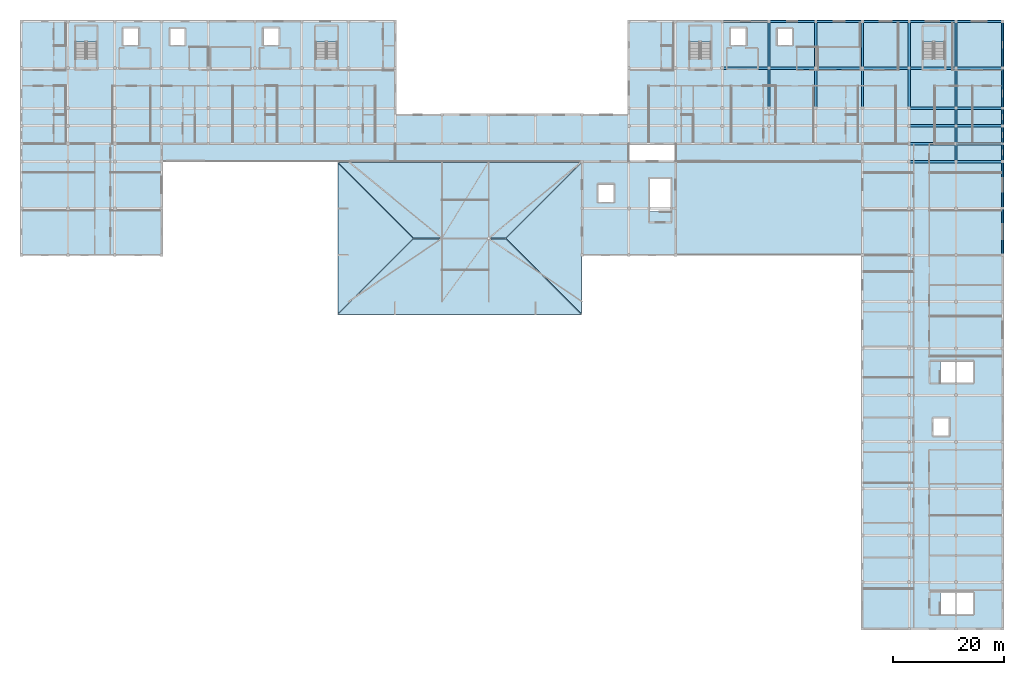
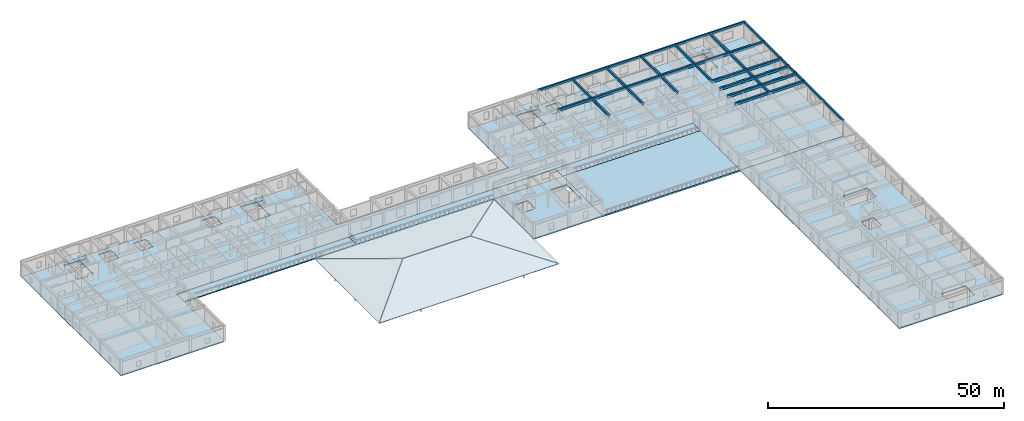
# One storey, part 6 of 28: 40 beams, 15 slabs, 4 elements without a shape of their own.
"""IFC4 building model written with IfcOpenShell, lengths in metres."""

from ifc_helpers import new_model, si_unit, direction, frame, origin, origin_2d, place, context, subcontext, project, spatial, polyline, rectangle, outline, extrude, material, layer, layer_set, material_profile, profile_set, type_object, element, aggregate, save


model = new_model("IFC4")

# Units and contexts
model_context = context("Model", 3, precision=1e-05, world=origin(), true_north=direction((0.0, 1.0)))
body_context = subcontext(model_context, "Body", "Model", "MODEL_VIEW")
ifc_project = project(units=[si_unit("LENGTHUNIT", "METRE"), si_unit("AREAUNIT", "SQUARE_METRE"), si_unit("VOLUMEUNIT", "CUBIC_METRE"), si_unit("PLANEANGLEUNIT", "RADIAN"), si_unit("MASSUNIT", "GRAM", prefix="KILO")], contexts=[model_context])

# Site, building, storey
site_placement = place(None, origin())
site = spatial("IfcSite", under=ifc_project, at=site_placement, CompositionType="ELEMENT")
building_placement = place(site_placement, origin())
building = spatial("IfcBuilding", under=site, at=building_placement, Name="Varncliffe General Hospital", CompositionType="ELEMENT")
storey_placement = place(building_placement, frame((0.0, 0.0, 24.60009765625)))
storey = spatial("IfcBuildingStorey", under=building, at=storey_placement, Name="L05", CompositionType="ELEMENT", Elevation=24.60009765625)

# Beams
ifc_material = material(Name="Concrete C35/45 (CSA A23.1 35 MPa)", Category="concrete")
ifc_material_profile_1 = material_profile(ifc_material, rectangle(XDim=0.39990234375, YDim=0.550048828125, at=origin_2d()), Name="RC 400x550")
ifc_profile_set_1 = profile_set([ifc_material_profile_1], Name="Concrete C35/45 (CSA A23.1 35 MPa)")
beam_type_1 = type_object("IfcBeamType", Name="Beam B32 (Int RC 400x550)", PredefinedType="BEAM", material=ifc_profile_set_1)
beam_1_placement = place(storey_placement, frame((134.39990234375, 109.199951171875, 3.9248046875), z_axis=(0.0, 1.0, 0.0), x_axis=(-1.0, 0.0, 0.0)))
element("IfcBeam", 1, at=beam_1_placement, inside=storey, type_object=beam_type_1, Name="L05 Primary Beam B32-209", PredefinedType="BEAM", context=body_context, shape_type="SweptSolid", body=[
    extrude(rectangle(XDim=0.39990234375, YDim=0.550048828125, at=origin_2d()), origin(), (0.0, 0.0, 1.0), 7.199951171875),
])
beam_2_placement = place(storey_placement, frame((134.39990234375, 116.39990234375, 3.9248046875), z_axis=(0.0, 1.0, 0.0), x_axis=(-1.0, 0.0, 0.0)))
element("IfcBeam", 2, at=beam_2_placement, inside=storey, type_object=beam_type_1, Name="L05 Primary Beam B32-210", PredefinedType="BEAM", context=body_context, shape_type="SweptSolid", body=[
    extrude(rectangle(XDim=0.39990234375, YDim=0.550048828125, at=origin_2d()), origin(), (0.0, 0.0, 1.0), 8.400146484375),
])
beam_3_placement = place(storey_placement, frame((142.800048828125, 109.199951171875, 3.9248046875), z_axis=(0.0, 1.0, 0.0), x_axis=(-1.0, 0.0, 0.0)))
element("IfcBeam", 3, at=beam_3_placement, inside=storey, type_object=beam_type_1, Name="L05 Primary Beam B32-213", PredefinedType="BEAM", context=body_context, shape_type="SweptSolid", body=[
    extrude(rectangle(XDim=0.39990234375, YDim=0.550048828125, at=origin_2d()), origin(), (0.0, 0.0, 1.0), 7.199951171875),
])
beam_4_placement = place(storey_placement, frame((142.800048828125, 116.39990234375, 3.9248046875), z_axis=(0.0, 1.0, 0.0), x_axis=(-1.0, 0.0, 0.0)))
element("IfcBeam", 4, at=beam_4_placement, inside=storey, type_object=beam_type_1, Name="L05 Primary Beam B32-214", PredefinedType="BEAM", context=body_context, shape_type="SweptSolid", body=[
    extrude(rectangle(XDim=0.39990234375, YDim=0.550048828125, at=origin_2d()), origin(), (0.0, 0.0, 1.0), 8.400146484375),
])
beam_5_placement = place(storey_placement, frame((151.199951171875, 109.199951171875, 3.9248046875), z_axis=(0.0, 1.0, 0.0), x_axis=(-1.0, 0.0, 0.0)))
element("IfcBeam", 5, at=beam_5_placement, inside=storey, type_object=beam_type_1, Name="L05 Primary Beam B32-228", PredefinedType="BEAM", context=body_context, shape_type="SweptSolid", body=[
    extrude(rectangle(XDim=0.39990234375, YDim=0.550048828125, at=origin_2d()), origin(), (0.0, 0.0, 1.0), 7.199951171875),
])
beam_6_placement = place(storey_placement, frame((151.199951171875, 116.39990234375, 3.9248046875), z_axis=(0.0, 1.0, 0.0), x_axis=(-1.0, 0.0, 0.0)))
element("IfcBeam", 6, at=beam_6_placement, inside=storey, type_object=beam_type_1, Name="L05 Primary Beam B32-229", PredefinedType="BEAM", context=body_context, shape_type="SweptSolid", body=[
    extrude(rectangle(XDim=0.39990234375, YDim=0.550048828125, at=origin_2d()), origin(), (0.0, 0.0, 1.0), 8.400146484375),
])
beam_7_placement = place(storey_placement, frame((159.60009765625, 109.199951171875, 3.9248046875), z_axis=(0.0, 1.0, 0.0), x_axis=(-1.0, 0.0, 0.0)))
element("IfcBeam", 7, at=beam_7_placement, inside=storey, type_object=beam_type_1, Name="L05 Primary Beam B32-243", PredefinedType="BEAM", context=body_context, shape_type="SweptSolid", body=[
    extrude(rectangle(XDim=0.39990234375, YDim=0.550048828125, at=origin_2d()), origin(), (0.0, 0.0, 1.0), 7.199951171875),
])
beam_8_placement = place(storey_placement, frame((159.60009765625, 116.39990234375, 3.9248046875), z_axis=(0.0, 1.0, 0.0), x_axis=(-1.0, 0.0, 0.0)))
element("IfcBeam", 8, at=beam_8_placement, inside=storey, type_object=beam_type_1, Name="L05 Primary Beam B32-244", PredefinedType="BEAM", context=body_context, shape_type="SweptSolid", body=[
    extrude(rectangle(XDim=0.39990234375, YDim=0.550048828125, at=origin_2d()), origin(), (0.0, 0.0, 1.0), 8.400146484375),
])
for number, where, z_axis, x_axis, name in (
    (9, (168.0, 99.60009765625, 3.9248046875), (0.0, 1.0, 0.0), (-1.0, 0.0, 0.0), "L05 Primary Beam B32-255"),
    (10, (168.0, 102.800048828125, 3.9248046875), (0.0, 1.0, 0.0), (-1.0, 0.0, 0.0), "L05 Primary Beam B32-256"),
    (11, (168.0, 106.0, 3.9248046875), (0.0, 1.0, 0.0), (-1.0, 0.0, 0.0), "L05 Primary Beam B32-257"),
):
    element("IfcBeam", number, at=place(storey_placement, frame(where, z_axis=z_axis, x_axis=x_axis)), inside=storey, type_object=beam_type_1, Name=name, PredefinedType="BEAM", context=body_context, shape_type="SweptSolid", body=[
        extrude(rectangle(XDim=0.39990234375, YDim=0.550048828125, at=origin_2d()), origin(), (0.0, 0.0, 1.0), 3.199951171875),
    ])
beam_9_placement = place(storey_placement, frame((168.0, 109.199951171875, 3.9248046875), z_axis=(0.0, 1.0, 0.0), x_axis=(-1.0, 0.0, 0.0)))
element("IfcBeam", 12, at=beam_9_placement, inside=storey, type_object=beam_type_1, Name="L05 Primary Beam B32-258", PredefinedType="BEAM", context=body_context, shape_type="SweptSolid", body=[
    extrude(rectangle(XDim=0.39990234375, YDim=0.550048828125, at=origin_2d()), origin(), (0.0, 0.0, 1.0), 7.199951171875),
])
beam_10_placement = place(storey_placement, frame((168.0, 116.39990234375, 3.9248046875), z_axis=(0.0, 1.0, 0.0), x_axis=(-1.0, 0.0, 0.0)))
element("IfcBeam", 13, at=beam_10_placement, inside=storey, type_object=beam_type_1, Name="L05 Primary Beam B32-259", PredefinedType="BEAM", context=body_context, shape_type="SweptSolid", body=[
    extrude(rectangle(XDim=0.39990234375, YDim=0.550048828125, at=origin_2d()), origin(), (0.0, 0.0, 1.0), 8.400146484375),
])
ifc_material_profile_2 = material_profile(ifc_material, rectangle(XDim=0.449951171875, YDim=0.60009765625, at=origin_2d()), Name="RC 450x600")
ifc_profile_set_2 = profile_set([ifc_material_profile_2], Name="Concrete C35/45 (CSA A23.1 35 MPa)")
beam_type_2 = type_object("IfcBeamType", Name="Beam B47 (Int RC 450x600)", PredefinedType="BEAM", material=ifc_profile_set_2)
for number, where, z_axis, x_axis, name in (
    (14, (159.60009765625, 99.60009765625, 3.89990234375), (1.0, 0.0, 0.0), (0.0, 1.0, 0.0), "L05 Primary Beam B47-47"),
    (15, (168.0, 99.60009765625, 3.89990234375), (1.0, 0.0, 0.0), (0.0, 1.0, 0.0), "L05 Primary Beam B47-48"),
    (16, (159.60009765625, 102.800048828125, 3.89990234375), (1.0, 0.0, 0.0), (0.0, 1.0, 0.0), "L05 Primary Beam B47-68"),
    (17, (168.0, 102.800048828125, 3.89990234375), (1.0, 0.0, 0.0), (0.0, 1.0, 0.0), "L05 Primary Beam B47-69"),
    (18, (159.60009765625, 106.0, 3.89990234375), (1.0, 0.0, 0.0), (0.0, 1.0, 0.0), "L05 Primary Beam B47-84"),
    (19, (168.0, 106.0, 3.89990234375), (1.0, 0.0, 0.0), (0.0, 1.0, 0.0), "L05 Primary Beam B47-85"),
    (20, (159.60009765625, 109.199951171875, 3.89990234375), (1.0, 0.0, 0.0), (0.0, 1.0, 0.0), "L05 Primary Beam B47-103"),
    (21, (168.0, 109.199951171875, 3.89990234375), (1.0, 0.0, 0.0), (0.0, 1.0, 0.0), "L05 Primary Beam B47-104"),
    (22, (126.0, 116.39990234375, 3.89990234375), (1.0, 0.0, 0.0), (0.0, 1.0, 0.0), "L05 Primary Beam B47-115"),
):
    element("IfcBeam", number, at=place(storey_placement, frame(where, z_axis=z_axis, x_axis=x_axis)), inside=storey, type_object=beam_type_2, Name=name, PredefinedType="BEAM", context=body_context, shape_type="SweptSolid", body=[
        extrude(rectangle(XDim=0.449951171875, YDim=0.60009765625, at=origin_2d()), origin(), (0.0, 0.0, 1.0), 8.39990234375),
    ])
beam_11_placement = place(storey_placement, frame((134.39990234375, 116.39990234375, 3.89990234375), z_axis=(1.0, 0.0, 0.0), x_axis=(0.0, 1.0, 0.0)))
element("IfcBeam", 23, at=beam_11_placement, inside=storey, type_object=beam_type_2, Name="L05 Primary Beam B47-116", PredefinedType="BEAM", context=body_context, shape_type="SweptSolid", body=[
    extrude(rectangle(XDim=0.449951171875, YDim=0.60009765625, at=origin_2d()), origin(), (0.0, 0.0, 1.0), 8.400146484375),
])
beam_12_placement = place(storey_placement, frame((142.800048828125, 116.39990234375, 3.89990234375), z_axis=(1.0, 0.0, 0.0), x_axis=(0.0, 1.0, 0.0)))
element("IfcBeam", 24, at=beam_12_placement, inside=storey, type_object=beam_type_2, Name="L05 Primary Beam B47-117", PredefinedType="BEAM", context=body_context, shape_type="SweptSolid", body=[
    extrude(rectangle(XDim=0.449951171875, YDim=0.60009765625, at=origin_2d()), origin(), (0.0, 0.0, 1.0), 8.39990234375),
])
beam_13_placement = place(storey_placement, frame((151.199951171875, 116.39990234375, 3.89990234375), z_axis=(1.0, 0.0, 0.0), x_axis=(0.0, 1.0, 0.0)))
element("IfcBeam", 25, at=beam_13_placement, inside=storey, type_object=beam_type_2, Name="L05 Primary Beam B47-118", PredefinedType="BEAM", context=body_context, shape_type="SweptSolid", body=[
    extrude(rectangle(XDim=0.449951171875, YDim=0.60009765625, at=origin_2d()), origin(), (0.0, 0.0, 1.0), 8.400146484375),
])
for number, where, z_axis, x_axis, name in (
    (26, (159.60009765625, 116.39990234375, 3.89990234375), (1.0, 0.0, 0.0), (0.0, 1.0, 0.0), "L05 Primary Beam B47-119"),
    (27, (168.0, 116.39990234375, 3.89990234375), (1.0, 0.0, 0.0), (0.0, 1.0, 0.0), "L05 Primary Beam B47-120"),
):
    element("IfcBeam", number, at=place(storey_placement, frame(where, z_axis=z_axis, x_axis=x_axis)), inside=storey, type_object=beam_type_2, Name=name, PredefinedType="BEAM", context=body_context, shape_type="SweptSolid", body=[
        extrude(rectangle(XDim=0.449951171875, YDim=0.60009765625, at=origin_2d()), origin(), (0.0, 0.0, 1.0), 8.39990234375),
    ])
ifc_material_profile_3 = material_profile(ifc_material, rectangle(XDim=0.35009765625, YDim=0.550048828125, at=origin_2d()), Name="RC 350x550")
ifc_profile_set_3 = profile_set([ifc_material_profile_3], Name="Concrete C35/45 (CSA A23.1 35 MPa)")
beam_type_3 = type_object("IfcBeamType", Name="Spandrel SP20 (Ext RC 350x550)", PredefinedType="SPANDREL", material=ifc_profile_set_3)
beam_14_placement = place(storey_placement, frame((126.0, 124.800048828125, 3.9248046875), z_axis=(1.0, 0.0, 0.0), x_axis=(0.0, 1.0, 0.0)))
element("IfcBeam", 28, at=beam_14_placement, inside=storey, type_object=beam_type_3, Name="L05 Spandrel Beam SP20-131", PredefinedType="SPANDREL", context=body_context, shape_type="SweptSolid", body=[
    extrude(rectangle(XDim=0.35009765625, YDim=0.550048828125, at=origin_2d()), origin(), (0.0, 0.0, 1.0), 8.39990234375),
])
beam_15_placement = place(storey_placement, frame((134.39990234375, 124.800048828125, 3.9248046875), z_axis=(1.0, 0.0, 0.0), x_axis=(0.0, 1.0, 0.0)))
element("IfcBeam", 29, at=beam_15_placement, inside=storey, type_object=beam_type_3, Name="L05 Spandrel Beam SP20-132", PredefinedType="SPANDREL", context=body_context, shape_type="SweptSolid", body=[
    extrude(rectangle(XDim=0.35009765625, YDim=0.550048828125, at=origin_2d()), origin(), (0.0, 0.0, 1.0), 8.400146484375),
])
beam_16_placement = place(storey_placement, frame((142.800048828125, 124.800048828125, 3.9248046875), z_axis=(1.0, 0.0, 0.0), x_axis=(0.0, 1.0, 0.0)))
element("IfcBeam", 30, at=beam_16_placement, inside=storey, type_object=beam_type_3, Name="L05 Spandrel Beam SP20-133", PredefinedType="SPANDREL", context=body_context, shape_type="SweptSolid", body=[
    extrude(rectangle(XDim=0.35009765625, YDim=0.550048828125, at=origin_2d()), origin(), (0.0, 0.0, 1.0), 8.39990234375),
])
beam_17_placement = place(storey_placement, frame((151.199951171875, 124.800048828125, 3.9248046875), z_axis=(1.0, 0.0, 0.0), x_axis=(0.0, 1.0, 0.0)))
element("IfcBeam", 31, at=beam_17_placement, inside=storey, type_object=beam_type_3, Name="L05 Spandrel Beam SP20-134", PredefinedType="SPANDREL", context=body_context, shape_type="SweptSolid", body=[
    extrude(rectangle(XDim=0.35009765625, YDim=0.550048828125, at=origin_2d()), origin(), (0.0, 0.0, 1.0), 8.400146484375),
])
for number, where, z_axis, x_axis, name in (
    (32, (159.60009765625, 124.800048828125, 3.9248046875), (1.0, 0.0, 0.0), (0.0, 1.0, 0.0), "L05 Spandrel Beam SP20-135"),
    (33, (168.0, 124.800048828125, 3.9248046875), (1.0, 0.0, 0.0), (0.0, 1.0, 0.0), "L05 Spandrel Beam SP20-136"),
    (34, (176.39990234375, 82.800048828125, 3.9248046875), (0.0, 1.0, 0.0), (-1.0, 0.0, 0.0), "L05 Spandrel Beam SP20-268"),
):
    element("IfcBeam", number, at=place(storey_placement, frame(where, z_axis=z_axis, x_axis=x_axis)), inside=storey, type_object=beam_type_3, Name=name, PredefinedType="SPANDREL", context=body_context, shape_type="SweptSolid", body=[
        extrude(rectangle(XDim=0.35009765625, YDim=0.550048828125, at=origin_2d()), origin(), (0.0, 0.0, 1.0), 8.39990234375),
    ])
beam_18_placement = place(storey_placement, frame((176.39990234375, 91.199951171875, 3.9248046875), z_axis=(0.0, 1.0, 0.0), x_axis=(-1.0, 0.0, 0.0)))
element("IfcBeam", 35, at=beam_18_placement, inside=storey, type_object=beam_type_3, Name="L05 Spandrel Beam SP20-269", PredefinedType="SPANDREL", context=body_context, shape_type="SweptSolid", body=[
    extrude(rectangle(XDim=0.35009765625, YDim=0.550048828125, at=origin_2d()), origin(), (0.0, 0.0, 1.0), 8.400146484375),
])
for number, where, z_axis, x_axis, name in (
    (36, (176.39990234375, 99.60009765625, 3.9248046875), (0.0, 1.0, 0.0), (-1.0, 0.0, 0.0), "L05 Spandrel Beam SP20-270"),
    (37, (176.39990234375, 102.800048828125, 3.9248046875), (0.0, 1.0, 0.0), (-1.0, 0.0, 0.0), "L05 Spandrel Beam SP20-271"),
    (38, (176.39990234375, 106.0, 3.9248046875), (0.0, 1.0, 0.0), (-1.0, 0.0, 0.0), "L05 Spandrel Beam SP20-272"),
):
    element("IfcBeam", number, at=place(storey_placement, frame(where, z_axis=z_axis, x_axis=x_axis)), inside=storey, type_object=beam_type_3, Name=name, PredefinedType="SPANDREL", context=body_context, shape_type="SweptSolid", body=[
        extrude(rectangle(XDim=0.35009765625, YDim=0.550048828125, at=origin_2d()), origin(), (0.0, 0.0, 1.0), 3.199951171875),
    ])
beam_19_placement = place(storey_placement, frame((176.39990234375, 109.199951171875, 3.9248046875), z_axis=(0.0, 1.0, 0.0), x_axis=(-1.0, 0.0, 0.0)))
element("IfcBeam", 39, at=beam_19_placement, inside=storey, type_object=beam_type_3, Name="L05 Spandrel Beam SP20-273", PredefinedType="SPANDREL", context=body_context, shape_type="SweptSolid", body=[
    extrude(rectangle(XDim=0.35009765625, YDim=0.550048828125, at=origin_2d()), origin(), (0.0, 0.0, 1.0), 7.199951171875),
])
beam_20_placement = place(storey_placement, frame((176.39990234375, 116.39990234375, 3.9248046875), z_axis=(0.0, 1.0, 0.0), x_axis=(-1.0, 0.0, 0.0)))
element("IfcBeam", 40, at=beam_20_placement, inside=storey, type_object=beam_type_3, Name="L05 Spandrel Beam SP20-274", PredefinedType="SPANDREL", context=body_context, shape_type="SweptSolid", body=[
    extrude(rectangle(XDim=0.35009765625, YDim=0.550048828125, at=origin_2d()), origin(), (0.0, 0.0, 1.0), 8.400146484375),
])

# Slabs
ifc_layer_1 = layer(ifc_material, 0.3798828125)
ifc_layer_set_1 = layer_set([ifc_layer_1], Name="Concrete C35/45 (CSA A23.1 35 MPa)")
slab_type_1 = type_object("IfcSlabType", Name="Floor Slab SL19 (Ext 380mm)", PredefinedType="FLOOR", material=ifc_layer_set_1)
slab_1_placement = place(storey_placement, frame((0.0, 0.0, -0.380126953125)))
element("IfcSlab", 41, at=slab_1_placement, inside=storey, type_object=slab_type_1, Name="L05 Emergency Rooftop Helipad Deck", PredefinedType="FLOOR", context=body_context, shape_type="SweptSolid", body=[
    extrude(outline(polyline([(117.60009765625, 82.800048828125), (151.199951171875, 82.800048828125), (151.199951171875, 99.60009765625), (117.60009765625, 99.60009765625), (117.60009765625, 82.800048828125)])), origin(), (0.0, 0.0, 1.0), 0.380126953125),
])
ifc_layer_2 = layer(ifc_material, 0.280029296875)
ifc_layer_set_2 = layer_set([ifc_layer_2], Name="Concrete C35/45 (CSA A23.1 35 MPa)")
slab_type_2 = type_object("IfcSlabType", Name="Floor Slab SL23 (Ext 280mm)", PredefinedType="FLOOR", material=ifc_layer_set_2)
slab_2_placement = place(storey_placement, frame((0.0, 0.0, -0.280029296875)))
element("IfcSlab", 42, at=slab_2_placement, inside=storey, type_object=slab_type_2, Name="L05 West Step-1 Healing Roof Terrace", PredefinedType="FLOOR", context=body_context, shape_type="SweptSolid", body=[
    extrude(outline(polyline([(25.199951171875, 99.60009765625), (67.199951171875, 99.60009765625), (67.199951171875, 102.800048828125), (25.199951171875, 102.800048828125), (25.199951171875, 99.60009765625)])), origin(), (0.0, 0.0, 1.0), 0.280029296875),
])
slab_3_placement = place(storey_placement, frame((0.0, 0.0, -0.280029296875)))
element("IfcSlab", 43, at=slab_3_placement, inside=storey, type_object=slab_type_2, Name="L05 Central Step-1 Healing Roof Terrace", PredefinedType="FLOOR", context=body_context, shape_type="SweptSolid", body=[
    extrude(outline(polyline([(67.199951171875, 99.60009765625), (109.199951171875, 99.60009765625), (109.199951171875, 102.800048828125), (67.199951171875, 102.800048828125), (67.199951171875, 99.60009765625)])), origin(), (0.0, 0.0, 1.0), 0.280029296875),
])
slab_4_placement = place(storey_placement, frame((0.0, 0.0, -0.280029296875)))
element("IfcSlab", 44, at=slab_4_placement, inside=storey, type_object=slab_type_2, Name="L05 East Step-1 Healing Roof Terrace", PredefinedType="FLOOR", context=body_context, shape_type="SweptSolid", body=[
    extrude(outline(polyline([(117.60009765625, 99.60009765625), (151.199951171875, 99.60009765625), (151.199951171875, 102.800048828125), (117.60009765625, 102.800048828125), (117.60009765625, 99.60009765625)])), origin(), (0.0, 0.0, 1.0), 0.280029296875),
])
ifc_layer_3 = layer(ifc_material, 0.27001953125)
ifc_layer_set_3 = layer_set([ifc_layer_3], Name="Concrete C35/45 (CSA A23.1 35 MPa)")
slab_type_3 = type_object("IfcSlabType", Name="Floor Slab SL33 (Int 270mm)", PredefinedType="FLOOR", material=ifc_layer_set_3)
slab_5_placement = place(storey_placement, frame((0.0, 0.0, -0.27001953125)))
element("IfcSlab", 45, at=slab_5_placement, inside=storey, type_object=slab_type_3, Name="L05 V5 Structural Floor Slab 1", PredefinedType="FLOOR", context=body_context, shape_type="SweptSolid", body=[
    extrude(outline(polyline([(176.39990234375, 15.60009765625), (176.39990234375, 82.800048828125), (151.199951171875, 82.800048828125), (151.199951171875, 15.60009765625), (176.39990234375, 15.60009765625)]), holes=[polyline([(165.199951171875, 59.800048828125), (171.14990234375, 59.800048828125), (171.14990234375, 63.699951171875), (165.199951171875, 63.699951171875), (165.199951171875, 59.800048828125)]), polyline([(165.199951171875, 18.199951171875), (171.14990234375, 18.199951171875), (171.14990234375, 22.10009765625), (165.199951171875, 22.10009765625), (165.199951171875, 18.199951171875)]), polyline([(163.800048828125, 50.199951171875), (166.89990234375, 50.199951171875), (166.89990234375, 53.60009765625), (163.800048828125, 53.60009765625), (163.800048828125, 50.199951171875)])]), origin(), (0.0, 0.0, 1.0), 0.27001953125),
])
ifc_layer_4 = layer(ifc_material, 0.2900390625)
ifc_layer_set_4 = layer_set([ifc_layer_4], Name="Concrete C35/45 (CSA A23.1 35 MPa)")
slab_type_4 = type_object("IfcSlabType", Name="Floor Slab SL44 (Int 290mm)", PredefinedType="FLOOR", material=ifc_layer_set_4)
slab_6_placement = place(storey_placement, frame((0.0, 0.0, -0.2900390625)))
element("IfcSlab", 46, at=slab_6_placement, inside=storey, type_object=slab_type_4, Name="L05 V4 Structural Floor Slab 1", PredefinedType="FLOOR", context=body_context, shape_type="SweptSolid", body=[
    extrude(outline(polyline([(117.60009765625, 82.800048828125), (117.60009765625, 99.60009765625), (100.800048828125, 99.60009765625), (100.800048828125, 82.800048828125), (117.60009765625, 82.800048828125)]), holes=[polyline([(116.800048828125, 90.60009765625), (116.800048828125, 96.550048828125), (112.89990234375, 96.550048828125), (112.89990234375, 90.60009765625), (116.800048828125, 90.60009765625)]), polyline([(103.60009765625, 92.199951171875), (106.60009765625, 92.199951171875), (106.60009765625, 95.60009765625), (103.60009765625, 95.60009765625), (103.60009765625, 92.199951171875)])]), origin(), (0.0, 0.0, 1.0), 0.2900390625),
])
ifc_layer_5 = layer(ifc_material, 0.25)
ifc_layer_set_5 = layer_set([ifc_layer_5], Name="Concrete C35/45 (CSA A23.1 35 MPa)")
slab_type_5 = type_object("IfcSlabType", Name="Floor Slab SL48 (Int 250mm)", PredefinedType="FLOOR", material=ifc_layer_set_5)
slab_7_placement = place(storey_placement, frame((0.0, 0.0, -0.25)))
element("IfcSlab", 47, at=slab_7_placement, inside=storey, type_object=slab_type_5, Name="L05 V6 Structural Floor Slab 1", PredefinedType="FLOOR", context=body_context, shape_type="SweptSolid", body=[
    extrude(outline(polyline([(0.0, 102.800048828125), (0.0, 124.800048828125), (67.199951171875, 124.800048828125), (67.199951171875, 108.0), (109.199951171875, 108.0), (109.199951171875, 124.800048828125), (176.39990234375, 124.800048828125), (176.39990234375, 102.800048828125), (176.39990234375, 82.800048828125), (151.199951171875, 82.800048828125), (151.199951171875, 102.800048828125), (109.199951171875, 102.800048828125), (67.199951171875, 102.800048828125), (25.199951171875, 102.800048828125), (25.199951171875, 82.800048828125), (0.0, 82.800048828125), (0.0, 102.800048828125)]), holes=[polyline([(13.60009765625, 118.0), (13.60009765625, 123.949951171875), (9.699951171875, 123.949951171875), (9.699951171875, 118.0), (13.60009765625, 118.0)]), polyline([(56.800048828125, 118.0), (56.800048828125, 123.949951171875), (52.89990234375, 123.949951171875), (52.89990234375, 118.0), (56.800048828125, 118.0)]), polyline([(124.0, 118.0), (124.0, 123.949951171875), (120.10009765625, 123.949951171875), (120.10009765625, 118.0), (124.0, 118.0)]), polyline([(166.0, 118.0), (166.0, 123.949951171875), (162.10009765625, 123.949951171875), (162.10009765625, 118.0), (166.0, 118.0)]), polyline([(18.199951171875, 120.39990234375), (21.199951171875, 120.39990234375), (21.199951171875, 123.699951171875), (18.199951171875, 123.699951171875), (18.199951171875, 120.39990234375)]), polyline([(43.39990234375, 120.39990234375), (46.39990234375, 120.39990234375), (46.39990234375, 123.699951171875), (43.39990234375, 123.699951171875), (43.39990234375, 120.39990234375)]), polyline([(127.39990234375, 120.39990234375), (130.39990234375, 120.39990234375), (130.39990234375, 123.699951171875), (127.39990234375, 123.699951171875), (127.39990234375, 120.39990234375)]), polyline([(26.60009765625, 120.39990234375), (29.5, 120.39990234375), (29.5, 123.60009765625), (26.60009765625, 123.60009765625), (26.60009765625, 120.39990234375)]), polyline([(135.800048828125, 120.39990234375), (138.699951171875, 120.39990234375), (138.699951171875, 123.60009765625), (135.800048828125, 123.60009765625), (135.800048828125, 120.39990234375)])]), origin(), (0.0, 0.0, 1.0), 0.25),
])

# Stair, slab
stair_type = type_object("IfcStairType", Name="Hospital Stair Assembly ST-T03 (1850w-4200h)", PredefinedType="TWO_STRAIGHT_RUN_STAIR", material=ifc_material)
stair_1_placement = place(storey_placement, origin())
stair_1 = element("IfcStair", 48, at=stair_1_placement, inside=storey, type_object=stair_type, Name="L05 North-West Ward Exit Stair 1", PredefinedType="TWO_STRAIGHT_RUN_STAIR")
ifc_layer_6 = layer(ifc_material, 0.199951171875)
ifc_layer_set_6 = layer_set([ifc_layer_6], Name="Concrete C35/45 (CSA A23.1 35 MPa)")
slab_type_6 = type_object("IfcSlabType", Name="Reinforced Concrete Stair Landing LND50 (200mm)", PredefinedType="LANDING", material=ifc_layer_set_6)
slab_8_placement = place(storey_placement, frame((0.0, 0.0, 1.89990234375)))
slab_8 = element("IfcSlab", 49, at=slab_8_placement, type_object=slab_type_6, Name="ST01 landing 1", PredefinedType="LANDING", context=body_context, shape_type="SweptSolid", body=[
    extrude(outline(polyline([(13.60009765625, 121.080078125), (13.60009765625, 123.949951171875), (9.699951171875, 123.949951171875), (9.699951171875, 121.080078125), (13.60009765625, 121.080078125)])), origin(), (0.0, 0.0, 1.0), 0.199951171875),
])
aggregate(stair_1, [slab_8])

stair_2_placement = place(storey_placement, origin())
stair_2 = element("IfcStair", 50, at=stair_2_placement, inside=storey, type_object=stair_type, Name="L05 North-West Ward Exit Stair 2", PredefinedType="TWO_STRAIGHT_RUN_STAIR")
slab_9_placement = place(storey_placement, frame((0.0, 0.0, 1.89990234375)))
slab_9 = element("IfcSlab", 51, at=slab_9_placement, type_object=slab_type_6, Name="ST02 landing 1", PredefinedType="LANDING", context=body_context, shape_type="SweptSolid", body=[
    extrude(outline(polyline([(56.800048828125, 121.080078125), (56.800048828125, 123.949951171875), (52.89990234375, 123.949951171875), (52.89990234375, 121.080078125), (56.800048828125, 121.080078125)])), origin(), (0.0, 0.0, 1.0), 0.199951171875),
])
aggregate(stair_2, [slab_9])

stair_3_placement = place(storey_placement, origin())
stair_3 = element("IfcStair", 52, at=stair_3_placement, inside=storey, type_object=stair_type, Name="L05 North-East Ward Exit Stair 3", PredefinedType="TWO_STRAIGHT_RUN_STAIR")
slab_10_placement = place(storey_placement, frame((0.0, 0.0, 1.89990234375)))
slab_10 = element("IfcSlab", 53, at=slab_10_placement, type_object=slab_type_6, Name="ST03 landing 1", PredefinedType="LANDING", context=body_context, shape_type="SweptSolid", body=[
    extrude(outline(polyline([(124.0, 121.080078125), (124.0, 123.949951171875), (120.10009765625, 123.949951171875), (120.10009765625, 121.080078125), (124.0, 121.080078125)])), origin(), (0.0, 0.0, 1.0), 0.199951171875),
])
aggregate(stair_3, [slab_10])

stair_4_placement = place(storey_placement, origin())
stair_4 = element("IfcStair", 54, at=stair_4_placement, inside=storey, type_object=stair_type, Name="L05 North-East Ward Exit Stair 4", PredefinedType="TWO_STRAIGHT_RUN_STAIR")
slab_11_placement = place(storey_placement, frame((0.0, 0.0, 1.89990234375)))
slab_11 = element("IfcSlab", 55, at=slab_11_placement, type_object=slab_type_6, Name="ST04 landing 1", PredefinedType="LANDING", context=body_context, shape_type="SweptSolid", body=[
    extrude(outline(polyline([(166.0, 121.080078125), (166.0, 123.949951171875), (162.10009765625, 123.949951171875), (162.10009765625, 121.080078125), (166.0, 121.080078125)])), origin(), (0.0, 0.0, 1.0), 0.199951171875),
])
aggregate(stair_4, [slab_11])

# Slabs
ifc_layer_7 = layer(ifc_material, 0.199951171875)
ifc_layer_set_7 = layer_set([ifc_layer_7], Name="Concrete C35/45 (CSA A23.1 35 MPa)")
slab_type_7 = type_object("IfcSlabType", Name="Roof Slab SL43 (Ext 200mm)", PredefinedType="ROOF", material=ifc_layer_set_7)
slab_12_placement = place(storey_placement, frame((56.93994140625, 72.139892578125, 0.0), z_axis=(0.0, -0.254829191502, 0.966986082195), x_axis=(1.0, 0.0, 0.0)))
element("IfcSlab", 56, at=slab_12_placement, inside=storey, type_object=slab_type_7, Name="L05 RF-V4-OR Hipped Roof Slab S", PredefinedType="ROOF", context=body_context, shape_type="SweptSolid", body=[
    extrude(outline(polyline([(0.0, 0.0), (43.719970703125, 0.0), (30.1591796875, 14.024023102245678), (13.56103515625, 14.024023102245678), (0.0, 0.0)])), origin(), (0.0, 0.0, -1.0), 0.199951171875),
])
slab_13_placement = place(storey_placement, frame((100.659912109375, 99.4599609375, 0.0), z_axis=(0.0, 0.254829191502, 0.966986082195), x_axis=(-1.0, 0.0, 0.0)))
element("IfcSlab", 57, at=slab_13_placement, inside=storey, type_object=slab_type_7, Name="L05 RF-V4-OR Hipped Roof Slab N", PredefinedType="ROOF", context=body_context, shape_type="SweptSolid", body=[
    extrude(outline(polyline([(0.0, 0.0), (43.719970703125, 0.0), (30.158935546875, 14.024023102245678), (13.560791015625, 14.024023102245678), (0.0, 0.0)])), origin(), (0.0, 0.0, -1.0), 0.199951171875),
])
for number, where, z_axis, x_axis, name in (
    (58, (56.93994140625, 99.320068359375, 0.0), (-0.254833647747, 0.0, 0.966984907833), (0.0, -1.0, 0.0), "L05 RF-V4-OR Hipped Roof Slab W"),
    (59, (100.659912109375, 72.280029296875, 0.0), (0.254833647747, 0.0, 0.966984907833), (0.0, 1.0, 0.0), "L05 RF-V4-OR Hipped Roof Slab E"),
):
    element("IfcSlab", number, at=place(storey_placement, frame(where, z_axis=z_axis, x_axis=x_axis)), inside=storey, type_object=slab_type_7, Name=name, PredefinedType="ROOF", context=body_context, shape_type="SweptSolid", body=[
        extrude(outline(polyline([(0.0, 0.0), (27.0400390625, 0.0), (13.52001953125, 13.981624140911038), (0.0, 0.0)])), origin(), (0.0, 0.0, -1.0), 0.199951171875),
    ])

save(model, "model.ifc")
